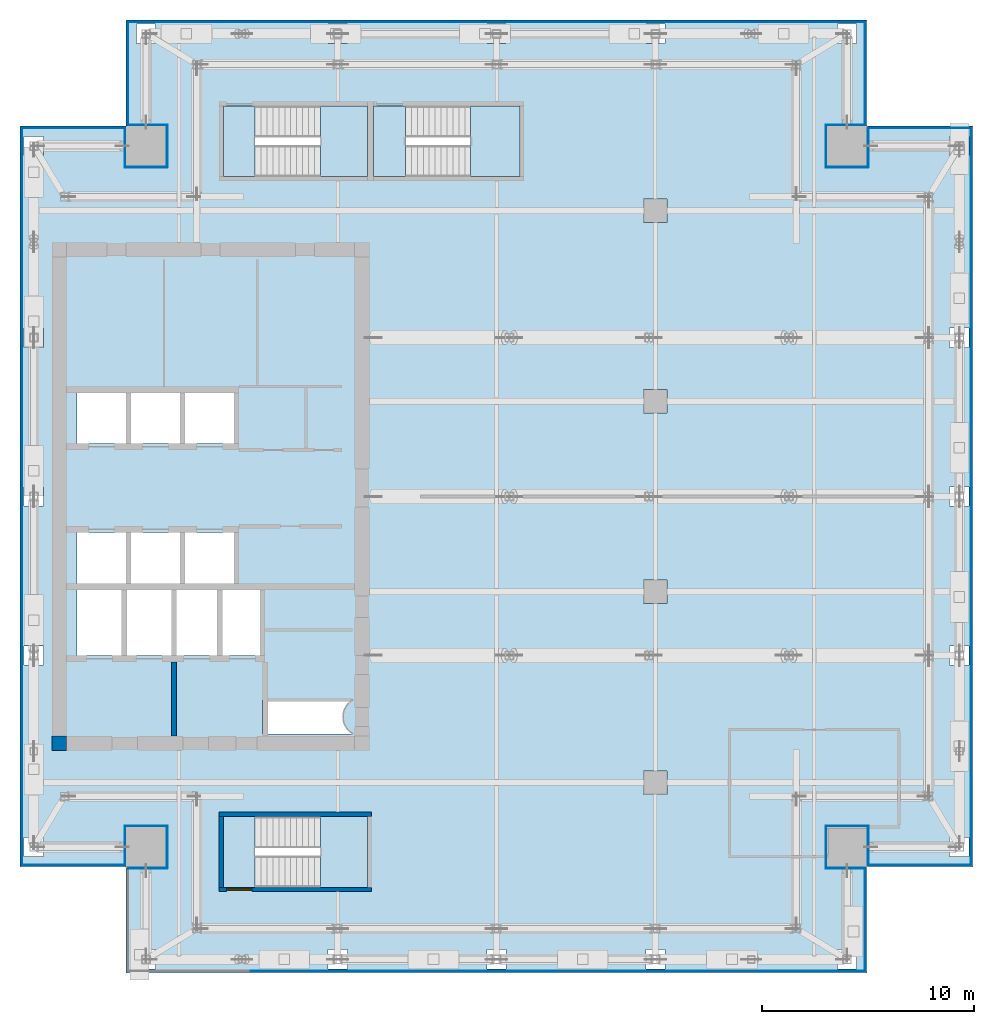
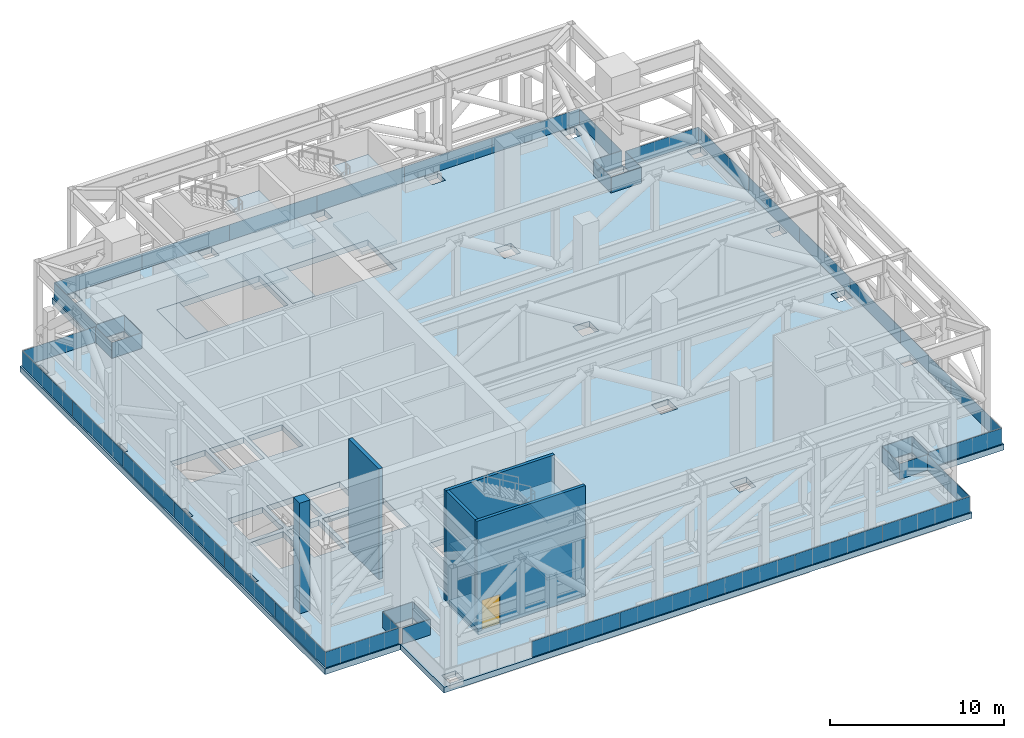
# One storey, part 7 of 15: 46 plates, 13 slabs, 5 walls, 1 door, 1 opening, 3 elements without a shape of their own.
"""IFC4 building model written with IfcOpenShell, lengths in metres."""

import ifcopenshell
import ifcopenshell.guid

model = None  # the IFC model being written
_history = None  # IfcOwnerHistory: only IFC2X3 demands one
_inside = {}  # id of a spatial element -> (the spatial element, [elements in it])
_under = {}  # id of a project, library or spatial element -> (it, [spatial elements below it])
_declared = {}  # id of a project -> (the project, [libraries it declares])
_typed = {}  # id of a type object -> (the type object, [elements of that type])
_made_of = {}  # id of a material, layer set ... -> (it, [elements and type objects made of it])


def new_model(schema):
    """Start an empty IFC model of exactly this schema.

    Asked for "IFC4X3", IfcOpenShell would pick the latest addendum, in which some entities
    have other attributes; the version numbers below select the first issue.
    IFC2X3 requires an IfcOwnerHistory on every rooted entity: one is made here for all.
    """
    global model, _history
    if schema == "IFC4X3":
        model = ifcopenshell.file(schema_version=(4, 3, 0, 0))
    else:
        model = ifcopenshell.file(schema=schema)
    _inside.clear()
    _under.clear()
    _declared.clear()
    _typed.clear()
    _made_of.clear()
    _history = None
    if model.schema == "IFC2X3":
        org = make("IfcOrganization", Name="unknown")
        user = make(
            "IfcPersonAndOrganization",
            ThePerson=make("IfcPerson", FamilyName="unknown"),
            TheOrganization=org,
        )
        app = make(
            "IfcApplication",
            ApplicationDeveloper=org,
            Version="unknown",
            ApplicationFullName="unknown",
            ApplicationIdentifier="unknown",
        )
        _history = make(
            "IfcOwnerHistory",
            OwningUser=user,
            OwningApplication=app,
            ChangeAction="ADDED",
            CreationDate=0,
        )
    return model


def make(cls, **values):
    """One entity of the class cls with the attributes given. An attribute that is None is left unset."""
    return model.create_entity(
        cls, **{name: value for name, value in values.items() if value is not None}
    )


def rooted(cls, **values):
    """An entity with a GlobalId (a new one), such as an element, a storey or a relation."""
    return make(cls, GlobalId=ifcopenshell.guid.new(), OwnerHistory=_history, **values)


def si_unit(unit_type, name, prefix=None):
    """IfcSIUnit, for example si_unit("LENGTHUNIT", "METRE", prefix="MILLI")."""
    return make("IfcSIUnit", UnitType=unit_type, Prefix=prefix, Name=name)


def assignment(units):
    """IfcUnitAssignment: the units of a project."""
    return None if units is None else make("IfcUnitAssignment", Units=units)


def point(xyz):
    """IfcCartesianPoint."""
    return None if xyz is None else make("IfcCartesianPoint", Coordinates=xyz)


def direction(xyz):
    """IfcDirection."""
    return None if xyz is None else make("IfcDirection", DirectionRatios=xyz)


def frame(location, z_axis=None, x_axis=None):
    """IfcAxis2Placement3D, a coordinate frame: its origin and axes. An axis left out is left unset."""
    return make(
        "IfcAxis2Placement3D",
        Location=point(location),
        Axis=direction(z_axis),
        RefDirection=direction(x_axis),
    )


def frame_2d(location, x_axis=None):
    """IfcAxis2Placement2D, a coordinate frame in the plane: its origin and x axis."""
    return make(
        "IfcAxis2Placement2D", Location=point(location), RefDirection=direction(x_axis)
    )


def origin():
    """The frame at (0, 0, 0) with its axes left unset."""
    return frame((0.0, 0.0, 0.0))


def origin_2d():
    """The frame at (0, 0) in the plane with its x axis left unset."""
    return frame_2d((0.0, 0.0))


def place(relative_to, where):
    """IfcLocalPlacement: puts the frame where relative to a parent placement (None: the world)."""
    return make(
        "IfcLocalPlacement", PlacementRelTo=relative_to, RelativePlacement=where
    )


def context(
    kind, dimensions, precision=None, world=None, true_north=None, identifier=None
):
    """IfcGeometricRepresentationContext, for example the 3D "Model" context."""
    return make(
        "IfcGeometricRepresentationContext",
        ContextIdentifier=identifier,
        ContextType=kind,
        CoordinateSpaceDimension=dimensions,
        Precision=precision,
        WorldCoordinateSystem=world,
        TrueNorth=true_north,
    )


def subcontext(parent, identifier, kind, view, scale=None):
    """IfcGeometricRepresentationSubContext, for example "Body" below "Model"."""
    return make(
        "IfcGeometricRepresentationSubContext",
        ContextIdentifier=identifier,
        ContextType=kind,
        ParentContext=parent,
        TargetScale=scale,
        TargetView=view,
    )


def project(units=None, contexts=None):
    """IfcProject with its units and contexts."""
    return rooted(
        "IfcProject",
        Name="project",
        RepresentationContexts=contexts,
        UnitsInContext=assignment(units),
    )


def spatial(cls, under=None, at=None, **own):
    """A site, building, storey or space (cls), placed at a placement, below another one or the project."""
    s = rooted(cls, ObjectPlacement=at, **own)
    if under is not None:
        _under.setdefault(under.id(), (under, []))[1].append(s)
    return s


def polyline(points):
    """IfcPolyline through the points."""
    return make("IfcPolyline", Points=[point(p) for p in points])


def profile(cls, at=None, kind="AREA", **sizes):
    """A parametric profile (cls). Its sizes go by their IFC names, for example OverallWidth=200.0."""
    return make(cls, ProfileType=kind, Position=at, **sizes)


def rectangle(**sizes):
    """IfcRectangleProfileDef."""
    return profile("IfcRectangleProfileDef", **sizes)


def outline(outer, holes=None, kind="AREA"):
    """IfcArbitraryClosedProfileDef: a profile drawn as a closed curve; with holes, ...WithVoids."""
    if holes is None:
        return make("IfcArbitraryClosedProfileDef", ProfileType=kind, OuterCurve=outer)
    return make(
        "IfcArbitraryProfileDefWithVoids",
        ProfileType=kind,
        OuterCurve=outer,
        InnerCurves=holes,
    )


def extrude(swept, where, along, depth):
    """IfcExtrudedAreaSolid: the profile swept, set in the frame where, extruded along a direction by depth."""
    return make(
        "IfcExtrudedAreaSolid",
        SweptArea=swept,
        Position=where,
        ExtrudedDirection=direction(along),
        Depth=depth,
    )


def shape(context_of_items, identifier, shape_type, items):
    """IfcShapeRepresentation: the items that make up one representation, for example the "Body"."""
    return make(
        "IfcShapeRepresentation",
        ContextOfItems=context_of_items,
        RepresentationIdentifier=identifier,
        RepresentationType=shape_type,
        Items=items,
    )


def source(mapping_origin, context_of_items, identifier, shape_type, items):
    """IfcRepresentationMap: a shape defined once, which mapped items show again and again."""
    return make(
        "IfcRepresentationMap",
        MappingOrigin=mapping_origin,
        MappedRepresentation=shape(context_of_items, identifier, shape_type, items),
    )


def transform(
    local_origin,
    x_axis=None,
    y_axis=None,
    z_axis=None,
    scale=None,
    scale2=None,
    scale3=None,
    uniform=True,
):
    """IfcCartesianTransformationOperator3D, or its non-uniform kind. x_axis, y_axis, z_axis: its Axis1, 2, 3."""
    if uniform:
        return make(
            "IfcCartesianTransformationOperator3D",
            Axis1=direction(x_axis),
            Axis2=direction(y_axis),
            LocalOrigin=point(local_origin),
            Scale=scale,
            Axis3=direction(z_axis),
        )
    return make(
        "IfcCartesianTransformationOperator3DnonUniform",
        Axis1=direction(x_axis),
        Axis2=direction(y_axis),
        LocalOrigin=point(local_origin),
        Scale=scale,
        Axis3=direction(z_axis),
        Scale2=scale2,
        Scale3=scale3,
    )


def mapped(mapping_source, mapping_target):
    """IfcMappedItem: shows the shape of a source again, moved by a transform."""
    return make(
        "IfcMappedItem", MappingSource=mapping_source, MappingTarget=mapping_target
    )


def material(Name=None, Category=None):
    """IfcMaterial."""
    return make("IfcMaterial", Name=Name, Category=Category)


def layer(
    of_material, thickness, ventilated=None, Name=None, Category=None, Priority=None
):
    """IfcMaterialLayer: one layer of a wall or slab, of a material (None: an air gap)."""
    return make(
        "IfcMaterialLayer",
        Material=of_material,
        LayerThickness=thickness,
        IsVentilated=ventilated,
        Name=Name,
        Category=Category,
        Priority=Priority,
    )


def layer_set(layers, Name=None):
    """IfcMaterialLayerSet."""
    return make("IfcMaterialLayerSet", MaterialLayers=layers, LayerSetName=Name)


def made_of(thing, what):
    """Note that an element or type object is made of a material, layer set ...; save() writes the relation."""
    if what is not None:
        _made_of.setdefault(what.id(), (what, []))[1].append(thing)
    return thing


def type_object(cls, material=None, **own):
    """A type object (cls), such as IfcWallType, which elements share."""
    return made_of(rooted(cls, **own), material)


def element(
    cls,
    number,
    at=None,
    inside=None,
    cuts=None,
    type_object=None,
    material=None,
    context=None,
    identifier="Body",
    shape_type=None,
    held_by="IfcProductDefinitionShape",
    body=None,
    shapes=None,
    **own,
):
    """One element of the class cls, such as IfcWall. Its Tag is "e" and its number.

    at: its placement. inside: the storey or other place that contains it. cuts: it is an
    opening in that element (IfcRelVoidsElement). A single representation is given by context,
    identifier, shape_type and body (its items); several are given by shapes. held_by: the class
    of the entity that holds the representations. save() writes the other relations.
    """
    e = rooted(cls, Tag="e%d" % number, ObjectPlacement=at, **own)
    if body is not None:
        shapes = [shape(context, identifier, shape_type, body)]
    if shapes is not None:
        e.Representation = make(held_by, Representations=shapes)
    if inside is not None:
        _inside.setdefault(inside.id(), (inside, []))[1].append(e)
    if cuts is not None:
        rooted(
            "IfcRelVoidsElement", RelatingBuildingElement=cuts, RelatedOpeningElement=e
        )
    if type_object is not None:
        _typed.setdefault(type_object.id(), (type_object, []))[1].append(e)
    return made_of(e, material)


def fill(opening, filler):
    """IfcRelFillsElement: the door or window that sits in an opening."""
    return rooted(
        "IfcRelFillsElement",
        RelatingOpeningElement=opening,
        RelatedBuildingElement=filler,
    )


def aggregate(whole, parts):
    """IfcRelAggregates: a whole, such as a stair, and the parts it consists of."""
    return rooted("IfcRelAggregates", RelatingObject=whole, RelatedObjects=parts)


def save(model, path):
    """Write the relations noted so far, then the file.

    IfcRelAggregates (storeys below a building ...), IfcRelContainedInSpatialStructure (elements
    in a storey), IfcRelDefinesByType, IfcRelAssociatesMaterial and IfcRelDeclares: one each for
    every whole, place, type object, material and project.
    """
    for whole, parts in _under.values():
        aggregate(whole, parts)
    for where, things in _inside.values():
        rooted(
            "IfcRelContainedInSpatialStructure",
            RelatedElements=things,
            RelatingStructure=where,
        )
    for kind, things in _typed.values():
        rooted("IfcRelDefinesByType", RelatedObjects=things, RelatingType=kind)
    for what, things in _made_of.values():
        rooted("IfcRelAssociatesMaterial", RelatedObjects=things, RelatingMaterial=what)
    for by, libraries in _declared.values():
        rooted("IfcRelDeclares", RelatingContext=by, RelatedDefinitions=libraries)
    model.write(path)


model = new_model("IFC4")

# Units and contexts
model_context = context("Model", 3, precision=1e-05, world=origin(), true_north=direction((0.0, 1.0)))
body_context = subcontext(model_context, "Body", "Model", "MODEL_VIEW")
ifc_project = project(units=[si_unit("LENGTHUNIT", "METRE"), si_unit("AREAUNIT", "SQUARE_METRE"), si_unit("VOLUMEUNIT", "CUBIC_METRE"), si_unit("PLANEANGLEUNIT", "RADIAN"), si_unit("MASSUNIT", "GRAM", prefix="KILO")], contexts=[model_context])

# Site, building, storey
site_placement = place(None, origin())
site = spatial("IfcSite", under=ifc_project, at=site_placement, CompositionType="ELEMENT")
building_placement = place(site_placement, origin())
building = spatial("IfcBuilding", under=site, at=building_placement, Name="Khomas Fold Tower", CompositionType="ELEMENT")
storey_placement = place(building_placement, frame((0.0, 0.0, 274.199951171875)))
storey = spatial("IfcBuildingStorey", under=building, at=storey_placement, Name="L62", CompositionType="ELEMENT", Elevation=274.199951171875)

# Slab
ifc_material_1 = material(Name="Concrete C40/50", Category="concrete")
ifc_layer_1 = layer(ifc_material_1, 0.39990234375)
ifc_layer_set_1 = layer_set([ifc_layer_1], Name="Concrete C40/50")
slab_type_1 = type_object("IfcSlabType", Name="RC floor slab 400", PredefinedType="FLOOR", material=ifc_layer_set_1)
shared_shape_1 = source(origin(), body_context, "Body", "SweptSolid", [
    extrude(outline(polyline([(4.5, 9.5), (9.4951171875, 9.5), (9.4951171875, 11.405029296875), (11.405029296875, 11.405029296875), (11.405029296875, 9.4951171875), (9.5, 9.4951171875), (9.5, 4.5), (44.5, 4.5), (44.5, 9.4951171875), (42.594970703125, 9.4951171875), (42.594970703125, 11.405029296875), (44.5048828125, 11.405029296875), (44.5048828125, 9.5), (49.5, 9.5), (49.5, 44.5), (44.5048828125, 44.5), (44.5048828125, 42.594970703125), (42.594970703125, 42.594970703125), (42.594970703125, 44.5048828125), (44.5, 44.5048828125), (44.5, 49.5), (9.5, 49.5), (9.5, 44.5048828125), (11.405029296875, 44.5048828125), (11.405029296875, 42.594970703125), (9.4951171875, 42.594970703125), (9.4951171875, 44.5), (4.5, 44.5), (4.5, 9.5)]), holes=[polyline([(4.695068359375, 9.9951171875), (4.695068359375, 10.905029296875), (5.60498046875, 10.905029296875), (5.60498046875, 9.9951171875), (4.695068359375, 9.9951171875)]), polyline([(4.695068359375, 19.044921875), (4.695068359375, 19.955078125), (5.60498046875, 19.955078125), (5.60498046875, 19.044921875), (4.695068359375, 19.044921875)]), polyline([(4.695068359375, 26.544921875), (4.695068359375, 27.455078125), (5.60498046875, 27.455078125), (5.60498046875, 26.544921875), (4.695068359375, 26.544921875)]), polyline([(4.695068359375, 34.044921875), (4.695068359375, 34.955078125), (5.60498046875, 34.955078125), (5.60498046875, 34.044921875), (4.695068359375, 34.044921875)]), polyline([(4.695068359375, 43.094970703125), (4.695068359375, 44.0048828125), (5.60498046875, 44.0048828125), (5.60498046875, 43.094970703125), (4.695068359375, 43.094970703125)]), polyline([(7.199951171875, 19.5), (7.199951171875, 22.60009765625), (9.300048828125, 22.60009765625), (9.300048828125, 19.5), (7.199951171875, 19.5)]), polyline([(7.199951171875, 22.89990234375), (7.199951171875, 25.300048828125), (9.5, 25.300048828125), (9.5, 22.89990234375), (7.199951171875, 22.89990234375)]), polyline([(7.199951171875, 29.5), (7.199951171875, 31.89990234375), (9.5, 31.89990234375), (9.5, 29.5), (7.199951171875, 29.5)]), polyline([(9.550048828125, 19.5), (9.550048828125, 22.60009765625), (11.64990234375, 22.60009765625), (11.64990234375, 19.5), (9.550048828125, 19.5)]), polyline([(9.75, 22.89990234375), (9.75, 25.300048828125), (12.050048828125, 25.300048828125), (12.050048828125, 22.89990234375), (9.75, 22.89990234375)]), polyline([(9.75, 29.5), (9.75, 31.89990234375), (12.050048828125, 31.89990234375), (12.050048828125, 29.5), (9.75, 29.5)]), polyline([(9.9951171875, 4.695068359375), (9.9951171875, 5.60498046875), (10.905029296875, 5.60498046875), (10.905029296875, 4.695068359375), (9.9951171875, 4.695068359375)]), polyline([(9.9951171875, 48.39501953125), (9.9951171875, 49.304931640625), (10.905029296875, 49.304931640625), (10.905029296875, 48.39501953125), (9.9951171875, 48.39501953125)]), polyline([(11.89990234375, 19.5), (11.89990234375, 22.60009765625), (13.800048828125, 22.60009765625), (13.800048828125, 19.5), (11.89990234375, 19.5)]), polyline([(12.300048828125, 22.89990234375), (12.300048828125, 25.300048828125), (14.60009765625, 25.300048828125), (14.60009765625, 22.89990234375), (12.300048828125, 22.89990234375)]), polyline([(12.300048828125, 29.5), (12.300048828125, 31.89990234375), (14.60009765625, 31.89990234375), (14.60009765625, 29.5), (12.300048828125, 29.5)]), polyline([(14.050048828125, 19.5), (14.050048828125, 22.60009765625), (15.949951171875, 22.60009765625), (15.949951171875, 19.5), (14.050048828125, 19.5)]), polyline([(14.10009765625, 8.550048828125), (14.10009765625, 11.89990234375), (20.89990234375, 11.89990234375), (20.89990234375, 8.550048828125), (14.10009765625, 8.550048828125)]), polyline([(14.10009765625, 42.10009765625), (14.10009765625, 45.449951171875), (20.89990234375, 45.449951171875), (20.89990234375, 42.10009765625), (14.10009765625, 42.10009765625)]), polyline([(15.949951171875, 15.800048828125), (15.949951171875, 17.39990234375), (20.199951171875, 17.39990234375), (20.199951171875, 17.37841796875), (20.14990234375, 17.348388671875), (20.0791015625, 17.295654296875), (20.013671875, 17.236328125), (19.954345703125, 17.1708984375), (19.901611328125, 17.10009765625), (19.856201171875, 17.0244140625), (19.818603515625, 16.9443359375), (19.788818359375, 16.861328125), (19.767333984375, 16.775634765625), (19.75439453125, 16.688232421875), (19.75, 16.60009765625), (19.75439453125, 16.51171875), (19.767333984375, 16.42431640625), (19.788818359375, 16.338623046875), (19.818603515625, 16.255615234375), (19.856201171875, 16.17578125), (19.901611328125, 16.10009765625), (19.954345703125, 16.029052734375), (20.013671875, 15.963623046875), (20.0791015625, 15.904296875), (20.14990234375, 15.851806640625), (20.199951171875, 15.82177734375), (20.199951171875, 15.800048828125), (15.949951171875, 15.800048828125)]), polyline([(19.044921875, 4.695068359375), (19.044921875, 5.60498046875), (19.955078125, 5.60498046875), (19.955078125, 4.695068359375), (19.044921875, 4.695068359375)]), polyline([(19.044921875, 48.39501953125), (19.044921875, 49.304931640625), (19.955078125, 49.304931640625), (19.955078125, 48.39501953125), (19.044921875, 48.39501953125)]), polyline([(21.199951171875, 42.10009765625), (21.199951171875, 45.449951171875), (28.10009765625, 45.449951171875), (28.10009765625, 42.10009765625), (21.199951171875, 42.10009765625)]), polyline([(26.544921875, 4.695068359375), (26.544921875, 5.60498046875), (27.455078125, 5.60498046875), (27.455078125, 4.695068359375), (26.544921875, 4.695068359375)]), polyline([(26.544921875, 48.39501953125), (26.544921875, 49.304931640625), (27.455078125, 49.304931640625), (27.455078125, 48.39501953125), (26.544921875, 48.39501953125)]), polyline([(33.945068359375, 12.945068359375), (33.945068359375, 14.054931640625), (35.054931640625, 14.054931640625), (35.054931640625, 12.945068359375), (33.945068359375, 12.945068359375)]), polyline([(33.945068359375, 21.945068359375), (33.945068359375, 23.054931640625), (35.054931640625, 23.054931640625), (35.054931640625, 21.945068359375), (33.945068359375, 21.945068359375)]), polyline([(33.945068359375, 30.945068359375), (33.945068359375, 32.054931640625), (35.054931640625, 32.054931640625), (35.054931640625, 30.945068359375), (33.945068359375, 30.945068359375)]), polyline([(33.945068359375, 39.945068359375), (33.945068359375, 41.054931640625), (35.054931640625, 41.054931640625), (35.054931640625, 39.945068359375), (33.945068359375, 39.945068359375)]), polyline([(34.044921875, 4.695068359375), (34.044921875, 5.60498046875), (34.955078125, 5.60498046875), (34.955078125, 4.695068359375), (34.044921875, 4.695068359375)]), polyline([(34.044921875, 48.39501953125), (34.044921875, 49.304931640625), (34.955078125, 49.304931640625), (34.955078125, 48.39501953125), (34.044921875, 48.39501953125)]), polyline([(43.094970703125, 4.695068359375), (43.094970703125, 5.60498046875), (44.0048828125, 5.60498046875), (44.0048828125, 4.695068359375), (43.094970703125, 4.695068359375)]), polyline([(43.094970703125, 48.39501953125), (43.094970703125, 49.304931640625), (44.0048828125, 49.304931640625), (44.0048828125, 48.39501953125), (43.094970703125, 48.39501953125)]), polyline([(48.39501953125, 9.9951171875), (48.39501953125, 10.905029296875), (49.304931640625, 10.905029296875), (49.304931640625, 9.9951171875), (48.39501953125, 9.9951171875)]), polyline([(48.39501953125, 19.044921875), (48.39501953125, 19.955078125), (49.304931640625, 19.955078125), (49.304931640625, 19.044921875), (48.39501953125, 19.044921875)]), polyline([(48.39501953125, 26.544921875), (48.39501953125, 27.455078125), (49.304931640625, 27.455078125), (49.304931640625, 26.544921875), (48.39501953125, 26.544921875)]), polyline([(48.39501953125, 34.044921875), (48.39501953125, 34.955078125), (49.304931640625, 34.955078125), (49.304931640625, 34.044921875), (48.39501953125, 34.044921875)]), polyline([(48.39501953125, 43.094970703125), (48.39501953125, 44.0048828125), (49.304931640625, 44.0048828125), (49.304931640625, 43.094970703125), (48.39501953125, 43.094970703125)])]), origin(), (0.0, 0.0, 1.0), 0.39990234375),
])
slab_1_placement = place(storey_placement, frame((0.0, 0.0, -0.39990234375)))
element("IfcSlab", 1, at=slab_1_placement, inside=storey, type_object=slab_type_1, Name="S-L62", PredefinedType="FLOOR", context=body_context, shape_type="MappedRepresentation", body=[
    mapped(shared_shape_1, transform((0.0, 0.0, 0.0))),
])

# Plates
ifc_material_2 = material(Name="Laminated toughened glass", Category="glass")
ifc_layer_2 = layer(ifc_material_2, 0.030029296875)
ifc_layer_set_2 = layer_set([ifc_layer_2], Name="Laminated toughened glass")
plate_type = type_object("IfcPlateType", Name="Guard glass infill GD-GI", PredefinedType="SHEET", material=ifc_layer_set_2)
shared_shape_2 = source(origin(), body_context, "Body", "SweptSolid", [
    extrude(rectangle(XDim=1.85009765625, YDim=0.030029296875, at=origin_2d()), origin(), (0.0, 0.0, 1.0), 1.10009765625),
])
for number, where, z_axis, x_axis, name in (
    (2, (10.52490234375, 9.449951171875, 0.0), (0.0, 0.0, 1.0), (1.0, 0.0, 0.0), "Guard glass infill"),
    (3, (9.449951171875, 10.52490234375, 0.0), (0.0, 0.0, 1.0), (0.0, -1.0, 0.0), "Guard glass infill"),
    (4, (9.449951171875, 43.47509765625, 0.0), (0.0, 0.0, 1.0), (0.0, -1.0, 0.0), "Guard glass infill"),
    (5, (10.52490234375, 44.550048828125, 0.0), (0.0, 0.0, 1.0), (-1.0, 0.0, 0.0), "Guard glass infill"),
    (6, (43.47509765625, 44.550048828125, 0.0), (0.0, 0.0, 1.0), (-1.0, 0.0, 0.0), "Guard glass infill"),
    (7, (44.550048828125, 43.47509765625, 0.0), (0.0, 0.0, 1.0), (0.0, 1.0, 0.0), "Guard glass infill"),
    (8, (44.550048828125, 10.52490234375, 0.0), (0.0, 0.0, 1.0), (0.0, 1.0, 0.0), "Guard glass infill"),
    (9, (43.47509765625, 9.449951171875, 0.0), (0.0, 0.0, 1.0), (1.0, 0.0, 0.0), "Guard glass infill"),
):
    element("IfcPlate", number, at=place(storey_placement, frame(where, z_axis=z_axis, x_axis=x_axis)), inside=storey, type_object=plate_type, Name=name, PredefinedType="SHEET", context=body_context, shape_type="MappedRepresentation", body=[
        mapped(shared_shape_2, transform((0.0, 0.0, 0.0))),
    ])
shared_shape_3 = source(origin(), body_context, "Body", "SweptSolid", [
    extrude(rectangle(XDim=2.0, YDim=0.030029296875, at=origin_2d()), origin(), (0.0, 0.0, 1.0), 1.10009765625),
])
for number, where, z_axis, x_axis, name in (
    (10, (11.449951171875, 10.449951171875, 0.0), (0.0, 0.0, 1.0), (0.0, 1.0, 0.0), "Guard glass infill"),
    (11, (10.449951171875, 11.449951171875, 0.0), (0.0, 0.0, 1.0), (-1.0, 0.0, 0.0), "Guard glass infill"),
    (12, (10.449951171875, 42.550048828125, 0.0), (0.0, 0.0, 1.0), (1.0, 0.0, 0.0), "Guard glass infill"),
    (13, (11.449951171875, 43.550048828125, 0.0), (0.0, 0.0, 1.0), (0.0, 1.0, 0.0), "Guard glass infill"),
    (14, (42.550048828125, 43.550048828125, 0.0), (0.0, 0.0, 1.0), (0.0, -1.0, 0.0), "Guard glass infill"),
    (15, (43.550048828125, 42.550048828125, 0.0), (0.0, 0.0, 1.0), (1.0, 0.0, 0.0), "Guard glass infill"),
    (16, (43.550048828125, 11.449951171875, 0.0), (0.0, 0.0, 1.0), (-1.0, 0.0, 0.0), "Guard glass infill"),
    (17, (42.550048828125, 10.449951171875, 0.0), (0.0, 0.0, 1.0), (0.0, -1.0, 0.0), "Guard glass infill"),
):
    element("IfcPlate", number, at=place(storey_placement, frame(where, z_axis=z_axis, x_axis=x_axis)), inside=storey, type_object=plate_type, Name=name, PredefinedType="SHEET", context=body_context, shape_type="MappedRepresentation", body=[
        mapped(shared_shape_3, transform((0.0, 0.0, 0.0))),
    ])
shared_shape_4 = source(origin(), body_context, "Body", "SweptSolid", [
    extrude(rectangle(XDim=4.85009765625, YDim=0.030029296875, at=origin_2d()), origin(), (0.0, 0.0, 1.0), 1.10009765625),
])
for number, where, z_axis, x_axis, name in (
    (18, (7.02490234375, 9.60009765625, 0.0), (0.0, 0.0, 1.0), (-1.0, 0.0, 0.0), "Guard glass infill"),
    (19, (7.02490234375, 44.39990234375, 0.0), (0.0, 0.0, 1.0), (1.0, 0.0, 0.0), "Guard glass infill"),
    (20, (9.60009765625, 46.97509765625, 0.0), (0.0, 0.0, 1.0), (0.0, 1.0, 0.0), "Guard glass infill"),
    (21, (44.39990234375, 46.97509765625, 0.0), (0.0, 0.0, 1.0), (0.0, -1.0, 0.0), "Guard glass infill"),
    (22, (46.97509765625, 44.39990234375, 0.0), (0.0, 0.0, 1.0), (1.0, 0.0, 0.0), "Guard glass infill"),
    (23, (46.97509765625, 9.60009765625, 0.0), (0.0, 0.0, 1.0), (-1.0, 0.0, 0.0), "Guard glass infill"),
    (24, (44.39990234375, 7.02490234375, 0.0), (0.0, 0.0, 1.0), (0.0, -1.0, 0.0), "Guard glass infill"),
):
    element("IfcPlate", number, at=place(storey_placement, frame(where, z_axis=z_axis, x_axis=x_axis)), inside=storey, type_object=plate_type, Name=name, PredefinedType="SHEET", context=body_context, shape_type="MappedRepresentation", body=[
        mapped(shared_shape_4, transform((0.0, 0.0, 0.0))),
    ])
shared_shape_5 = source(origin(), body_context, "Body", "SweptSolid", [
    extrude(rectangle(XDim=5.800048828125, YDim=0.030029296875, at=origin_2d()), origin(), (0.0, 0.0, 1.0), 1.10009765625),
])
for number, where, z_axis, x_axis, name in (
    (25, (4.60009765625, 12.5, 0.0), (0.0, 0.0, 1.0), (0.0, 1.0, 0.0), "Guard glass infill"),
    (26, (4.60009765625, 18.300048828125, 0.0), (0.0, 0.0, 1.0), (0.0, 1.0, 0.0), "Guard glass infill"),
    (27, (4.60009765625, 24.10009765625, 0.0), (0.0, 0.0, 1.0), (0.0, 1.0, 0.0), "Guard glass infill"),
    (28, (4.60009765625, 29.89990234375, 0.0), (0.0, 0.0, 1.0), (0.0, 1.0, 0.0), "Guard glass infill"),
    (29, (4.60009765625, 35.699951171875, 0.0), (0.0, 0.0, 1.0), (0.0, 1.0, 0.0), "Guard glass infill"),
    (30, (4.60009765625, 41.5, 0.0), (0.0, 0.0, 1.0), (0.0, 1.0, 0.0), "Guard glass infill"),
    (31, (12.5, 49.39990234375, 0.0), (0.0, 0.0, 1.0), (1.0, 0.0, 0.0), "Guard glass infill"),
    (32, (18.300048828125, 49.39990234375, 0.0), (0.0, 0.0, 1.0), (1.0, 0.0, 0.0), "Guard glass infill"),
    (33, (24.10009765625, 49.39990234375, 0.0), (0.0, 0.0, 1.0), (1.0, 0.0, 0.0), "Guard glass infill"),
    (34, (29.89990234375, 49.39990234375, 0.0), (0.0, 0.0, 1.0), (1.0, 0.0, 0.0), "Guard glass infill"),
    (35, (35.699951171875, 49.39990234375, 0.0), (0.0, 0.0, 1.0), (1.0, 0.0, 0.0), "Guard glass infill"),
    (36, (41.5, 49.39990234375, 0.0), (0.0, 0.0, 1.0), (1.0, 0.0, 0.0), "Guard glass infill"),
    (37, (49.39990234375, 41.5, 0.0), (0.0, 0.0, 1.0), (0.0, -1.0, 0.0), "Guard glass infill"),
    (38, (49.39990234375, 35.699951171875, 0.0), (0.0, 0.0, 1.0), (0.0, -1.0, 0.0), "Guard glass infill"),
    (39, (49.39990234375, 29.89990234375, 0.0), (0.0, 0.0, 1.0), (0.0, -1.0, 0.0), "Guard glass infill"),
    (40, (49.39990234375, 24.10009765625, 0.0), (0.0, 0.0, 1.0), (0.0, -1.0, 0.0), "Guard glass infill"),
    (41, (49.39990234375, 18.300048828125, 0.0), (0.0, 0.0, 1.0), (0.0, -1.0, 0.0), "Guard glass infill"),
    (42, (49.39990234375, 12.5, 0.0), (0.0, 0.0, 1.0), (0.0, -1.0, 0.0), "Guard glass infill"),
    (43, (41.5, 4.60009765625, 0.0), (0.0, 0.0, 1.0), (-1.0, 0.0, 0.0), "Guard glass infill"),
    (44, (35.699951171875, 4.60009765625, 0.0), (0.0, 0.0, 1.0), (-1.0, 0.0, 0.0), "Guard glass infill"),
    (45, (29.89990234375, 4.60009765625, 0.0), (0.0, 0.0, 1.0), (-1.0, 0.0, 0.0), "Guard glass infill"),
    (46, (24.10009765625, 4.60009765625, 0.0), (0.0, 0.0, 1.0), (-1.0, 0.0, 0.0), "Guard glass infill"),
    (47, (18.300048828125, 4.60009765625, 0.0), (0.0, 0.0, 1.0), (-1.0, 0.0, 0.0), "Guard glass infill"),
):
    element("IfcPlate", number, at=place(storey_placement, frame(where, z_axis=z_axis, x_axis=x_axis)), inside=storey, type_object=plate_type, Name=name, PredefinedType="SHEET", context=body_context, shape_type="MappedRepresentation", body=[
        mapped(shared_shape_5, transform((0.0, 0.0, 0.0))),
    ])

# Stair, slabs
ifc_material_3 = material(Name="Concrete C40/50", Category="concrete")
stair_type_1 = type_object("IfcStairType", Name="Stair ST1", PredefinedType="HALF_TURN_STAIR", material=ifc_material_3)
stair_1_placement = place(storey_placement, origin())
stair_1 = element("IfcStair", 48, at=stair_1_placement, inside=storey, type_object=stair_type_1, Name="L62 ST1", PredefinedType="HALF_TURN_STAIR")
ifc_material_4 = material(Name="Concrete C40/50", Category="concrete")
ifc_layer_3 = layer(ifc_material_4, 0.199951171875)
ifc_layer_set_3 = layer_set([ifc_layer_3], Name="Concrete C40/50")
slab_type_2 = type_object("IfcSlabType", Name="Stair landing 200", PredefinedType="LANDING", material=ifc_layer_set_3)
shared_shape_6 = source(origin(), body_context, "Body", "SweptSolid", [
    extrude(outline(polyline([(14.10009765625, 42.10009765625), (15.60009765625, 42.10009765625), (15.60009765625, 45.449951171875), (14.10009765625, 45.449951171875), (14.10009765625, 42.10009765625)])), origin(), (0.0, 0.0, 1.0), 0.199951171875),
])
slab_2_placement = place(storey_placement, frame((0.0, 0.0, 3.800048828125)))
slab_2 = element("IfcSlab", 49, at=slab_2_placement, type_object=slab_type_2, Name="ST1 landing 2", PredefinedType="LANDING", context=body_context, shape_type="MappedRepresentation", body=[
    mapped(shared_shape_6, transform((0.0, 0.0, 0.0))),
])
shared_shape_7 = source(origin(), body_context, "Body", "SweptSolid", [
    extrude(outline(polyline([(18.679931640625, 42.10009765625), (20.89990234375, 42.10009765625), (20.89990234375, 45.449951171875), (18.679931640625, 45.449951171875), (18.679931640625, 42.10009765625)])), origin(), (0.0, 0.0, 1.0), 0.199951171875),
])
slab_3_placement = place(storey_placement, frame((0.0, 0.0, 1.800048828125)))
slab_3 = element("IfcSlab", 50, at=slab_3_placement, type_object=slab_type_2, Name="ST1 landing 1", PredefinedType="LANDING", context=body_context, shape_type="MappedRepresentation", body=[
    mapped(shared_shape_7, transform((0.0, 0.0, 0.0))),
])
slab_4_placement = place(storey_placement, frame((0.0, 0.0, 5.800048828125)))
slab_4 = element("IfcSlab", 51, at=slab_4_placement, type_object=slab_type_2, Name="ST1 landing 3", PredefinedType="LANDING", context=body_context, shape_type="MappedRepresentation", body=[
    mapped(shared_shape_7, transform((0.0, 0.0, 0.0))),
])
aggregate(stair_1, [slab_3, slab_2, slab_4])

# Slab
ifc_material_5 = material(Name="Concrete C40/50", Category="concrete")
ifc_layer_4 = layer(ifc_material_5, 0.39990234375)
ifc_layer_set_4 = layer_set([ifc_layer_4], Name="Concrete C40/50")
slab_type_3 = type_object("IfcSlabType", Name="Stair floor landing 400", PredefinedType="LANDING", material=ifc_layer_set_4)
shared_shape_8 = source(origin(), body_context, "Body", "SweptSolid", [
    extrude(outline(polyline([(14.10009765625, 45.449951171875), (15.60009765625, 45.449951171875), (15.60009765625, 42.10009765625), (14.10009765625, 42.10009765625), (14.10009765625, 45.449951171875)])), origin(), (0.0, 0.0, 1.0), 0.39990234375),
])
slab_5_placement = place(storey_placement, frame((0.0, 0.0, -0.39990234375)))
element("IfcSlab", 52, at=slab_5_placement, inside=storey, type_object=slab_type_3, Name="ST1 floor landing", PredefinedType="LANDING", context=body_context, shape_type="MappedRepresentation", body=[
    mapped(shared_shape_8, transform((0.0, 0.0, 0.0))),
])

# Stair, slabs
ifc_material_6 = material(Name="Concrete C40/50", Category="concrete")
stair_type_2 = type_object("IfcStairType", Name="Stair ST2", PredefinedType="HALF_TURN_STAIR", material=ifc_material_6)
stair_2_placement = place(storey_placement, origin())
stair_2 = element("IfcStair", 53, at=stair_2_placement, inside=storey, type_object=stair_type_2, Name="L62 ST2", PredefinedType="HALF_TURN_STAIR")
shared_shape_9 = source(origin(), body_context, "Body", "SweptSolid", [
    extrude(outline(polyline([(14.10009765625, 8.550048828125), (15.60009765625, 8.550048828125), (15.60009765625, 11.89990234375), (14.10009765625, 11.89990234375), (14.10009765625, 8.550048828125)])), origin(), (0.0, 0.0, 1.0), 0.199951171875),
])
slab_6_placement = place(storey_placement, frame((0.0, 0.0, 3.800048828125)))
slab_6 = element("IfcSlab", 54, at=slab_6_placement, type_object=slab_type_2, Name="ST2 landing 2", PredefinedType="LANDING", context=body_context, shape_type="MappedRepresentation", body=[
    mapped(shared_shape_9, transform((0.0, 0.0, 0.0))),
])
shared_shape_10 = source(origin(), body_context, "Body", "SweptSolid", [
    extrude(outline(polyline([(18.679931640625, 8.550048828125), (20.89990234375, 8.550048828125), (20.89990234375, 11.89990234375), (18.679931640625, 11.89990234375), (18.679931640625, 8.550048828125)])), origin(), (0.0, 0.0, 1.0), 0.199951171875),
])
slab_7_placement = place(storey_placement, frame((0.0, 0.0, 1.800048828125)))
slab_7 = element("IfcSlab", 55, at=slab_7_placement, type_object=slab_type_2, Name="ST2 landing 1", PredefinedType="LANDING", context=body_context, shape_type="MappedRepresentation", body=[
    mapped(shared_shape_10, transform((0.0, 0.0, 0.0))),
])
slab_8_placement = place(storey_placement, frame((0.0, 0.0, 5.800048828125)))
slab_8 = element("IfcSlab", 56, at=slab_8_placement, type_object=slab_type_2, Name="ST2 landing 3", PredefinedType="LANDING", context=body_context, shape_type="MappedRepresentation", body=[
    mapped(shared_shape_10, transform((0.0, 0.0, 0.0))),
])
aggregate(stair_2, [slab_7, slab_6, slab_8])

# Slab
shared_shape_11 = source(origin(), body_context, "Body", "SweptSolid", [
    extrude(outline(polyline([(14.10009765625, 11.89990234375), (15.60009765625, 11.89990234375), (15.60009765625, 8.550048828125), (14.10009765625, 8.550048828125), (14.10009765625, 11.89990234375)])), origin(), (0.0, 0.0, 1.0), 0.39990234375),
])
slab_9_placement = place(storey_placement, frame((0.0, 0.0, -0.39990234375)))
element("IfcSlab", 57, at=slab_9_placement, inside=storey, type_object=slab_type_3, Name="ST2 floor landing", PredefinedType="LANDING", context=body_context, shape_type="MappedRepresentation", body=[
    mapped(shared_shape_11, transform((0.0, 0.0, 0.0))),
])

# Stair, slabs
ifc_material_7 = material(Name="Concrete C40/50", Category="concrete")
stair_type_3 = type_object("IfcStairType", Name="Stair ST3", PredefinedType="HALF_TURN_STAIR", material=ifc_material_7)
stair_3_placement = place(storey_placement, origin())
stair_3 = element("IfcStair", 58, at=stair_3_placement, inside=storey, type_object=stair_type_3, Name="L62 ST3", PredefinedType="HALF_TURN_STAIR")
shared_shape_12 = source(origin(), body_context, "Body", "SweptSolid", [
    extrude(outline(polyline([(21.199951171875, 42.10009765625), (22.699951171875, 42.10009765625), (22.699951171875, 45.449951171875), (21.199951171875, 45.449951171875), (21.199951171875, 42.10009765625)])), origin(), (0.0, 0.0, 1.0), 0.199951171875),
])
slab_10_placement = place(storey_placement, frame((0.0, 0.0, 3.800048828125)))
slab_10 = element("IfcSlab", 59, at=slab_10_placement, type_object=slab_type_2, Name="ST3 landing 2", PredefinedType="LANDING", context=body_context, shape_type="MappedRepresentation", body=[
    mapped(shared_shape_12, transform((0.0, 0.0, 0.0))),
])
shared_shape_13 = source(origin(), body_context, "Body", "SweptSolid", [
    extrude(outline(polyline([(25.780029296875, 42.10009765625), (28.10009765625, 42.10009765625), (28.10009765625, 45.449951171875), (25.780029296875, 45.449951171875), (25.780029296875, 42.10009765625)])), origin(), (0.0, 0.0, 1.0), 0.199951171875),
])
slab_11_placement = place(storey_placement, frame((0.0, 0.0, 1.800048828125)))
slab_11 = element("IfcSlab", 60, at=slab_11_placement, type_object=slab_type_2, Name="ST3 landing 1", PredefinedType="LANDING", context=body_context, shape_type="MappedRepresentation", body=[
    mapped(shared_shape_13, transform((0.0, 0.0, 0.0))),
])
slab_12_placement = place(storey_placement, frame((0.0, 0.0, 5.800048828125)))
slab_12 = element("IfcSlab", 61, at=slab_12_placement, type_object=slab_type_2, Name="ST3 landing 3", PredefinedType="LANDING", context=body_context, shape_type="MappedRepresentation", body=[
    mapped(shared_shape_13, transform((0.0, 0.0, 0.0))),
])
aggregate(stair_3, [slab_11, slab_10, slab_12])

# Slab
shared_shape_14 = source(origin(), body_context, "Body", "SweptSolid", [
    extrude(outline(polyline([(21.199951171875, 45.449951171875), (22.699951171875, 45.449951171875), (22.699951171875, 42.10009765625), (21.199951171875, 42.10009765625), (21.199951171875, 45.449951171875)])), origin(), (0.0, 0.0, 1.0), 0.39990234375),
])
slab_13_placement = place(storey_placement, frame((0.0, 0.0, -0.39990234375)))
element("IfcSlab", 62, at=slab_13_placement, inside=storey, type_object=slab_type_3, Name="ST3 floor landing", PredefinedType="LANDING", context=body_context, shape_type="MappedRepresentation", body=[
    mapped(shared_shape_14, transform((0.0, 0.0, 0.0))),
])

# Walls
ifc_material_8 = material(Name="Concrete C60/75", Category="concrete")
ifc_layer_5 = layer(ifc_material_8, 0.699951171875)
ifc_layer_set_5 = layer_set([ifc_layer_5], Name="Concrete C60/75")
wall_type_1 = type_object("IfcWallType", Name="Core corner wall 700", PredefinedType="SHEAR", material=ifc_layer_set_5)
shared_shape_15 = source(origin(), body_context, "Body", "SweptSolid", [
    extrude(rectangle(XDim=0.699951171875, YDim=0.699951171875, at=frame_2d((0.35009765625, 0.0))), origin(), (0.0, 0.0, 1.0), 7.75),
])
wall_1_placement = place(storey_placement, frame((6.0, 15.35009765625, 0.0), z_axis=(0.0, 0.0, 1.0), x_axis=(1.0, 0.0, 0.0)))
element("IfcWall", 63, at=wall_1_placement, inside=storey, type_object=wall_type_1, Name="Core wall CW-U-SW-L49", PredefinedType="SHEAR", context=body_context, shape_type="MappedRepresentation", body=[
    mapped(shared_shape_15, transform((0.0, 0.0, 0.0))),
])
ifc_material_9 = material(Name="Concrete C50/60", Category="concrete")
ifc_layer_6 = layer(ifc_material_9, 0.199951171875)
ifc_layer_set_6 = layer_set([ifc_layer_6], Name="Concrete C50/60")
wall_type_2 = type_object("IfcWallType", Name="Stair wall 200", PredefinedType="SHEAR", material=ifc_layer_set_6)
shared_shape_16 = source(origin(), body_context, "Body", "SweptSolid", [
    extrude(rectangle(XDim=7.2001953125, YDim=0.199951171875, at=frame_2d((3.60009765625, 0.0))), origin(), (0.0, 0.0, 1.0), 7.75),
])
wall_2_placement = place(storey_placement, frame((13.89990234375, 12.0, 0.0), z_axis=(0.0, 0.0, 1.0), x_axis=(1.0, 0.0, 0.0)))
element("IfcWall", 64, at=wall_2_placement, inside=storey, type_object=wall_type_2, Name="Stair wall SW-ST2-NH", PredefinedType="SHEAR", context=body_context, shape_type="MappedRepresentation", body=[
    mapped(shared_shape_16, transform((0.0, 0.0, 0.0))),
])

# Wall, opening, door
wall_3_placement = place(storey_placement, frame((13.89990234375, 8.449951171875, 0.0), z_axis=(0.0, 0.0, 1.0), x_axis=(1.0, 0.0, 0.0)))
wall_3 = element("IfcWall", 65, at=wall_3_placement, inside=storey, type_object=wall_type_2, Name="Stair wall SW-ST2-S", PredefinedType="SHEAR", context=body_context, shape_type="MappedRepresentation", body=[
    mapped(shared_shape_16, transform((0.0, 0.0, 0.0))),
])
shared_shape_17 = source(origin(), body_context, "Body", "SweptSolid", [
    extrude(rectangle(XDim=1.199951171875, YDim=2.10009765625, at=frame_2d((0.60009765625, 1.050048828125))), frame((0.0, 0.10986328125, 0.0), z_axis=(0.0, -1.0, 0.0), x_axis=(1.0, 0.0, 0.0)), (0.0, 0.0, 1.0), 0.219970703125),
])
opening_placement = place(wall_3_placement, frame((0.35009765625, 0.0, 0.0)))
opening = element("IfcOpeningElement", 66, at=opening_placement, cuts=wall_3, Name="Opening SD-ST2", PredefinedType="OPENING", context=body_context, shape_type="MappedRepresentation", body=[
    mapped(shared_shape_17, transform((0.0, 0.0, 0.0))),
])
ifc_material_10 = material(Name="Steel door leaf", Category="steel")
door_type = type_object("IfcDoorType", Name="Stair door 1200x2100 right-hand", OperationType="SINGLE_SWING_RIGHT", PredefinedType="DOOR", material=ifc_material_10)
shared_shape_18 = source(origin(), body_context, "Body", "SweptSolid", [
    extrude(rectangle(XDim=1.199951171875, YDim=2.10009765625, at=frame_2d((0.60009765625, 1.050048828125))), frame((0.0, 0.02490234375, 0.0), z_axis=(0.0, -1.0, 0.0), x_axis=(1.0, 0.0, 0.0)), (0.0, 0.0, 1.0), 0.050048828125),
])
door_placement = place(opening_placement, origin())
door = element("IfcDoor", 67, at=door_placement, inside=storey, type_object=door_type, Name="Stair door", OperationType="SINGLE_SWING_RIGHT", OverallHeight=2.10009765625, OverallWidth=1.199951171875, PredefinedType="DOOR", context=body_context, shape_type="MappedRepresentation", body=[
    mapped(shared_shape_18, transform((0.0, 0.0, 0.0))),
])
fill(opening, door)

# Walls
shared_shape_19 = source(origin(), body_context, "Body", "SweptSolid", [
    extrude(rectangle(XDim=3.349853515625, YDim=0.199951171875, at=frame_2d((1.6748046875, 0.0))), origin(), (0.0, 0.0, 1.0), 7.75),
])
wall_4_placement = place(storey_placement, frame((14.0, 8.550048828125, 0.0), z_axis=(0.0, 0.0, 1.0), x_axis=(0.0, 1.0, 0.0)))
element("IfcWall", 68, at=wall_4_placement, inside=storey, type_object=wall_type_2, Name="Stair wall SW-ST2-W", PredefinedType="SHEAR", context=body_context, shape_type="MappedRepresentation", body=[
    mapped(shared_shape_19, transform((0.0, 0.0, 0.0))),
])
ifc_material_11 = material(Name="Concrete C50/60", Category="concrete")
ifc_layer_7 = layer(ifc_material_11, 0.25)
ifc_layer_set_7 = layer_set([ifc_layer_7], Name="Concrete C50/60")
wall_type_3 = type_object("IfcWallType", Name="Lobby wall 250", PredefinedType="STANDARD", material=ifc_layer_set_7)
shared_shape_20 = source(origin(), body_context, "Body", "SweptSolid", [
    extrude(rectangle(XDim=3.5, YDim=0.25, at=frame_2d((1.75, 0.0))), origin(), (0.0, 0.0, 1.0), 7.75),
])
wall_5_placement = place(storey_placement, frame((11.77490234375, 15.699951171875, 0.0), z_axis=(0.0, 0.0, 1.0), x_axis=(0.0, 1.0, 0.0)))
element("IfcWall", 69, at=wall_5_placement, inside=storey, type_object=wall_type_3, Name="Core wall SW-FS-SEP", PredefinedType="STANDARD", context=body_context, shape_type="MappedRepresentation", body=[
    mapped(shared_shape_20, transform((0.0, 0.0, 0.0))),
])

save(model, "model.ifc")
